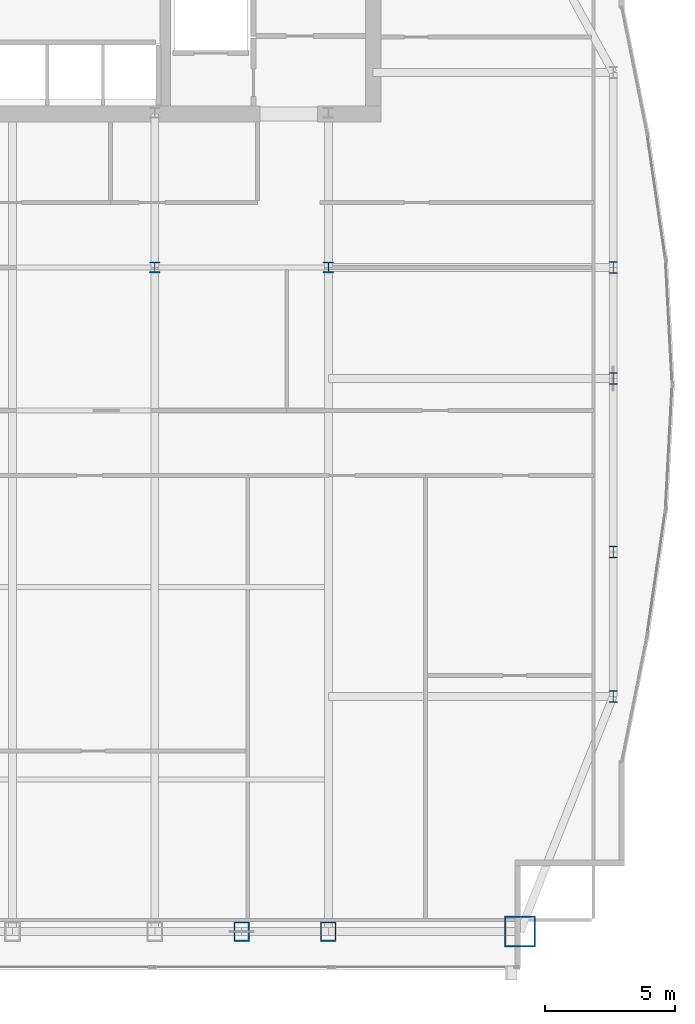
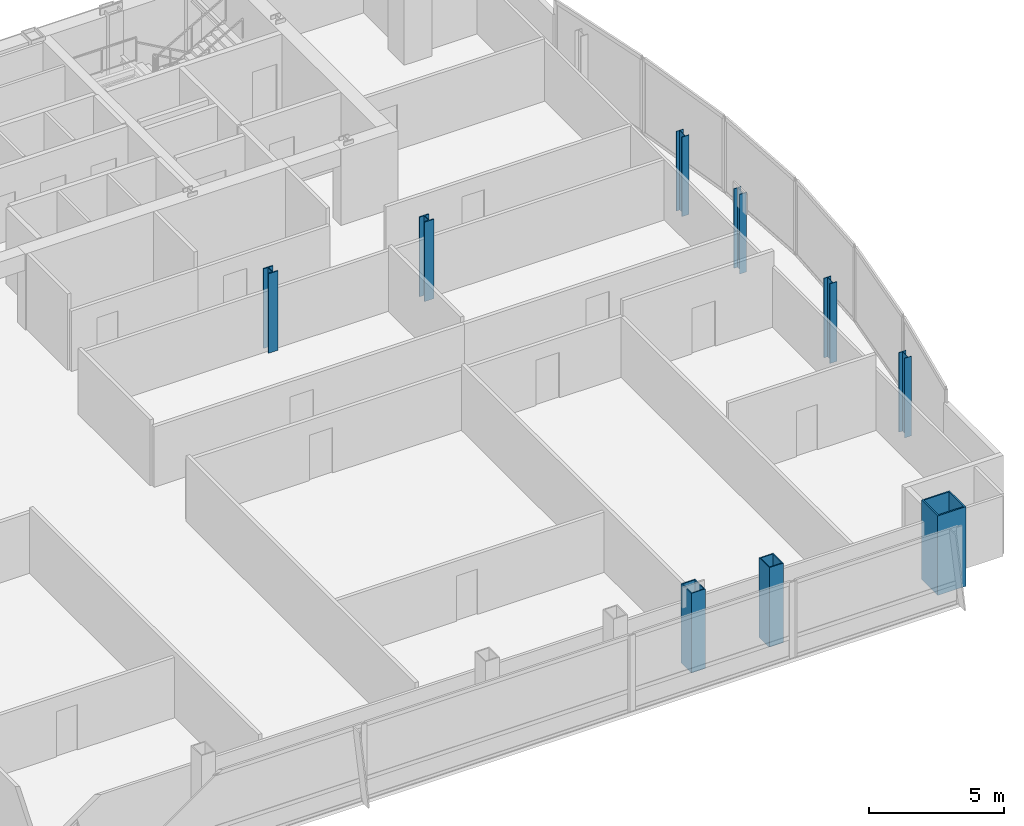
# One storey, part 2 of 30: 9 columns.
"""IFC4 building model written with IfcOpenShell, lengths in metres."""

from ifc_helpers import new_model, si_unit, direction, frame, origin, origin_2d, place, context, subcontext, project, spatial, hollow_rectangle, i_section, extrude, material, material_profile, profile_set, type_object, element, save


model = new_model("IFC4")

# Units and contexts
model_context = context("Model", 3, precision=1e-05, world=origin(), true_north=direction((0.0, 1.0)))
body_context = subcontext(model_context, "Body", "Model", "MODEL_VIEW")
ifc_project = project(units=[si_unit("LENGTHUNIT", "METRE"), si_unit("AREAUNIT", "SQUARE_METRE"), si_unit("VOLUMEUNIT", "CUBIC_METRE"), si_unit("PLANEANGLEUNIT", "RADIAN"), si_unit("MASSUNIT", "GRAM", prefix="KILO")], contexts=[model_context])

# Site, building, storey
site_placement = place(None, origin())
site = spatial("IfcSite", under=ifc_project, at=site_placement, CompositionType="ELEMENT")
building_placement = place(site_placement, origin())
building = spatial("IfcBuilding", under=site, at=building_placement, Name="Khoronbel Lancet Exchange", CompositionType="ELEMENT")
storey_placement = place(building_placement, frame((0.0, 0.0, 206.60009765625)))
storey = spatial("IfcBuildingStorey", under=building, at=storey_placement, Name="L52", CompositionType="ELEMENT", Elevation=206.60009765625)

# Columns
ifc_material_1 = material(Name="Steel S460", Category="steel")
ifc_material_profile_1 = material_profile(ifc_material_1, hollow_rectangle(XDim=0.60009765625, YDim=0.75, WallThickness=0.044921875, at=origin_2d()), Name="BOX 750x600x45")
ifc_profile_set_1 = profile_set([ifc_material_profile_1], Name="Steel S460")
column_type_1 = type_object("IfcColumnType", Name="COL-EC3", PredefinedType="COLUMN", material=ifc_profile_set_1)
for number, where, z_axis, x_axis, name in (
    (1, (51.33740234375, 10.14990234375, 0.0), (0.0, 0.0, 1.0), (1.0, 0.0, 0.0), "Structural column SC-EM L52"),
    (2, (54.675048828125, 10.14990234375, 0.0), (0.0, 0.0, 1.0), (1.0, 0.0, 0.0), "Structural column SC-E2 L52"),
):
    element("IfcColumn", number, at=place(storey_placement, frame(where, z_axis=z_axis, x_axis=x_axis)), inside=storey, type_object=column_type_1, Name=name, PredefinedType="COLUMN", context=body_context, shape_type="SweptSolid", body=[
        extrude(hollow_rectangle(XDim=0.60009765625, YDim=0.75, WallThickness=0.044921875, at=origin_2d()), origin(), (0.0, 0.0, 1.0), 3.599853515625),
    ])
ifc_material_2 = material(Name="Steel S355", Category="steel")
ifc_material_profile_2 = material_profile(ifc_material_2, i_section(OverallWidth=0.406005859375, OverallDepth=0.416015625, WebThickness=0.02978515625, FlangeThickness=0.048095703125, at=origin_2d()), Name="HD 400x382")
ifc_profile_set_2 = profile_set([ifc_material_profile_2], Name="Steel S355")
column_type_2 = type_object("IfcColumnType", Name="COL-IC3", PredefinedType="COLUMN", material=ifc_profile_set_2)
for number, where, z_axis, x_axis, name in (
    (3, (48.0, 35.699951171875, 0.0), (0.0, 0.0, 1.0), (1.0, 0.0, 0.0), "Spine gravity column TC3 L52"),
    (4, (54.675048828125, 35.699951171875, 0.0), (0.0, 0.0, 1.0), (1.0, 0.0, 0.0), "Spine gravity column TC4 L52"),
):
    element("IfcColumn", number, at=place(storey_placement, frame(where, z_axis=z_axis, x_axis=x_axis)), inside=storey, type_object=column_type_2, Name=name, PredefinedType="COLUMN", context=body_context, shape_type="SweptSolid", body=[
        extrude(i_section(OverallWidth=0.406005859375, OverallDepth=0.416015625, WebThickness=0.02978515625, FlangeThickness=0.048095703125, at=origin_2d()), origin(), (0.0, 0.0, 1.0), 3.599853515625),
    ])
ifc_material_profile_3 = material_profile(ifc_material_2, i_section(OverallWidth=0.300048828125, OverallDepth=0.449951171875, WebThickness=0.013916015625, FlangeThickness=0.02587890625, at=origin_2d()), Name="HEB 450")
ifc_profile_set_3 = profile_set([ifc_material_profile_3], Name="Steel S355")
column_type_3 = type_object("IfcColumnType", Name="COL-LC2", PredefinedType="COLUMN", material=ifc_profile_set_3)
for number, where, z_axis, x_axis, name in (
    (5, (65.6298828125, 19.199951171875, 0.0), (0.0, 0.0, 1.0), (1.0, 0.0, 0.0), "Structural column EC-1 L52"),
    (6, (65.6298828125, 24.75, 0.0), (0.0, 0.0, 1.0), (1.0, 0.0, 0.0), "Structural column EC-2 L52"),
    (7, (65.6298828125, 31.425048828125, 0.0), (0.0, 0.0, 1.0), (1.0, 0.0, 0.0), "Structural column EC-M L52"),
    (8, (65.6298828125, 35.699951171875, 0.0), (0.0, 0.0, 1.0), (1.0, 0.0, 0.0), "Structural column EC-3 L52"),
):
    element("IfcColumn", number, at=place(storey_placement, frame(where, z_axis=z_axis, x_axis=x_axis)), inside=storey, type_object=column_type_3, Name=name, PredefinedType="COLUMN", context=body_context, shape_type="SweptSolid", body=[
        extrude(i_section(OverallWidth=0.300048828125, OverallDepth=0.449951171875, WebThickness=0.013916015625, FlangeThickness=0.02587890625, at=origin_2d()), origin(), (0.0, 0.0, 1.0), 3.599853515625),
    ])
ifc_material_profile_4 = material_profile(ifc_material_1, hollow_rectangle(XDim=1.199951171875, YDim=1.199951171875, WallThickness=0.06005859375, at=origin_2d()), Name="BOX 1200x1200x60")
ifc_profile_set_4 = profile_set([ifc_material_profile_4], Name="Steel S460")
column_type_4 = type_object("IfcColumnType", Name="COL-MC5", PredefinedType="COLUMN", material=ifc_profile_set_4)
column_placement = place(storey_placement, frame((62.050048828125, 10.14990234375, 0.0), z_axis=(0.0, 0.0, 1.0), x_axis=(1.0, 0.0, 0.0)))
element("IfcColumn", 9, at=column_placement, inside=storey, type_object=column_type_4, Name="Structural column MC-SE L52", PredefinedType="COLUMN", context=body_context, shape_type="SweptSolid", body=[
    extrude(hollow_rectangle(XDim=1.199951171875, YDim=1.199951171875, WallThickness=0.06005859375, at=origin_2d()), origin(), (0.0, 0.0, 1.0), 3.599853515625),
])

save(model, "model.ifc")
